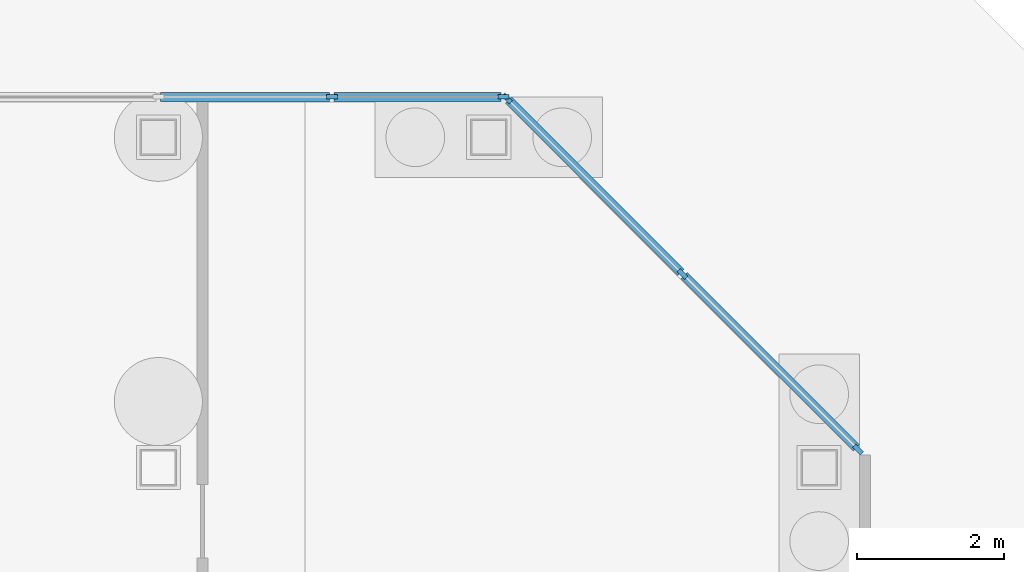
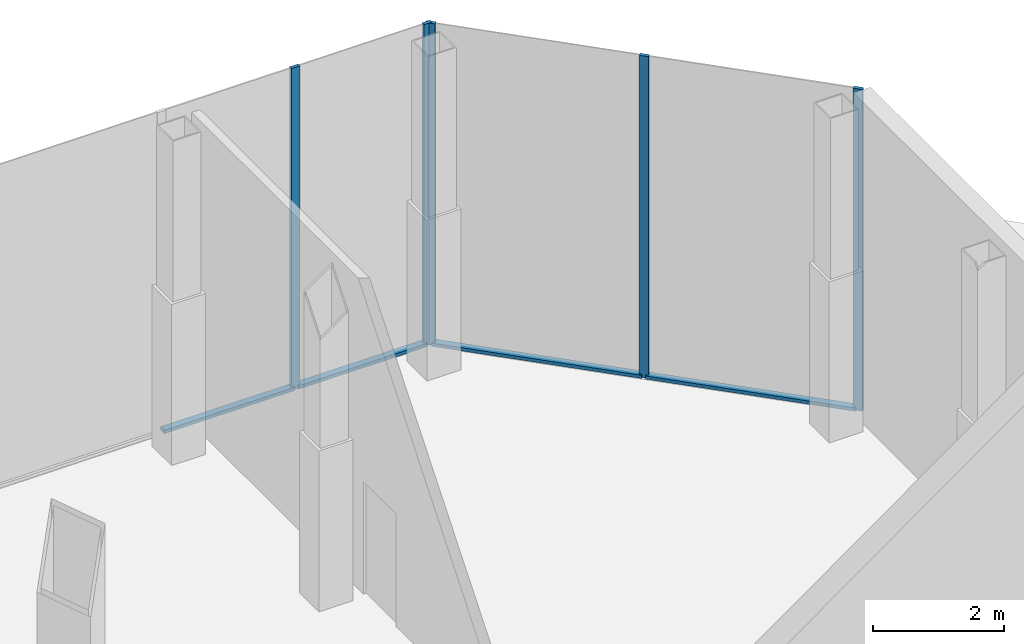
# One storey, part 15 of 24: 9 members, 2 elements without a shape of their own.
"""IFC4 building model written with IfcOpenShell, lengths in metres."""

from ifc_helpers import new_model, si_unit, direction, frame, origin, origin_2d, place, context, subcontext, project, spatial, rectangle, extrude, material, material_profile, profile_set, type_object, element, aggregate, save


model = new_model("IFC4")

# Units and contexts
model_context = context("Model", 3, precision=1e-05, world=origin(), true_north=direction((0.0, 1.0)))
body_context = subcontext(model_context, "Body", "Model", "MODEL_VIEW")
ifc_project = project(units=[si_unit("LENGTHUNIT", "METRE"), si_unit("AREAUNIT", "SQUARE_METRE"), si_unit("VOLUMEUNIT", "CUBIC_METRE"), si_unit("PLANEANGLEUNIT", "RADIAN"), si_unit("MASSUNIT", "GRAM", prefix="KILO")], contexts=[model_context])

# Site, building, storey
site_placement = place(None, origin())
site = spatial("IfcSite", under=ifc_project, at=site_placement, CompositionType="ELEMENT")
building_placement = place(site_placement, origin())
building = spatial("IfcBuilding", under=site, at=building_placement, Name="Corais Broadcast Tower", CompositionType="ELEMENT")
storey_placement = place(building_placement, origin())
storey = spatial("IfcBuildingStorey", under=building, at=storey_placement, Name="L00", CompositionType="ELEMENT", Elevation=0.0)

# Curtain wall, members
ifc_material_1 = material(Name="Aluminium and glass", Category="aluminium")
curtain_wall_type = type_object("IfcCurtainWallType", Name="Storefront curtain wall CW5", PredefinedType="NOTDEFINED", material=ifc_material_1)
curtain_wall_1_placement = place(storey_placement, origin())
curtain_wall_1 = element("IfcCurtainWall", 1, at=curtain_wall_1_placement, inside=storey, type_object=curtain_wall_type, Name="CW5 curtain wall L00 4", PredefinedType="NOTDEFINED")
ifc_material_2 = material(Name="Aluminium 6063-T6", Category="aluminium")
ifc_material_profile_1 = material_profile(ifc_material_2, rectangle(XDim=0.06005859375, YDim=0.14990234375, at=origin_2d()), Name="Mullion CW5 60x150")
ifc_profile_set_1 = profile_set([ifc_material_profile_1], Name="Aluminium 6063-T6")
member_type_1 = type_object("IfcMemberType", Name="Mullion CW5 60x150", PredefinedType="MULLION", material=ifc_profile_set_1)
member_1_placement = place(storey_placement, frame((56.364013671875, 54.550048828125, 0.0), z_axis=(0.0, 0.0, 1.0), x_axis=(0.0, 1.0, 0.0)))
member_1 = element("IfcMember", 2, at=member_1_placement, type_object=member_type_1, Name="CW5 mullion 7", PredefinedType="MULLION", context=body_context, shape_type="SweptSolid", body=[
    extrude(rectangle(XDim=0.06005859375, YDim=0.14990234375, at=origin_2d()), origin(), (0.0, 0.0, 1.0), 6.0),
])
member_2_placement = place(storey_placement, frame((58.69775390625, 54.550048828125, 0.0), z_axis=(0.0, 0.0, 1.0), x_axis=(0.0, 1.0, 0.0)))
member_2 = element("IfcMember", 3, at=member_2_placement, type_object=member_type_1, Name="CW5 mullion 8", PredefinedType="MULLION", context=body_context, shape_type="SweptSolid", body=[
    extrude(rectangle(XDim=0.06005859375, YDim=0.14990234375, at=origin_2d()), origin(), (0.0, 0.0, 1.0), 6.0),
])

curtain_wall_2_placement = place(storey_placement, origin())
curtain_wall_2 = element("IfcCurtainWall", 4, at=curtain_wall_2_placement, inside=storey, type_object=curtain_wall_type, Name="CW5 curtain wall L00 5", PredefinedType="NOTDEFINED")
member_3_placement = place(storey_placement, frame((58.7490234375, 54.52880859375, 0.0), z_axis=(0.0, 0.0, 1.0), x_axis=(0.707106781187, 0.707106781187, 0.0)))
member_3 = element("IfcMember", 5, at=member_3_placement, type_object=member_type_1, Name="CW5 mullion 1", PredefinedType="MULLION", context=body_context, shape_type="SweptSolid", body=[
    extrude(rectangle(XDim=0.06005859375, YDim=0.14990234375, at=origin_2d()), origin(), (0.0, 0.0, 1.0), 6.0),
])
member_4_placement = place(storey_placement, frame((61.138916015625, 52.138916015625, 0.0), z_axis=(0.0, 0.0, 1.0), x_axis=(0.707106781187, 0.707106781187, 0.0)))
member_4 = element("IfcMember", 6, at=member_4_placement, type_object=member_type_1, Name="CW5 mullion 2", PredefinedType="MULLION", context=body_context, shape_type="SweptSolid", body=[
    extrude(rectangle(XDim=0.06005859375, YDim=0.14990234375, at=origin_2d()), origin(), (0.0, 0.0, 1.0), 6.0),
])
member_5_placement = place(storey_placement, frame((63.52880859375, 49.7490234375, 0.0), z_axis=(0.0, 0.0, 1.0), x_axis=(0.707106781187, 0.707106781187, 0.0)))
member_5 = element("IfcMember", 7, at=member_5_placement, type_object=member_type_1, Name="CW5 mullion 3", PredefinedType="MULLION", context=body_context, shape_type="SweptSolid", body=[
    extrude(rectangle(XDim=0.06005859375, YDim=0.14990234375, at=origin_2d()), origin(), (0.0, 0.0, 1.0), 6.0),
])

# Member
ifc_material_3 = material(Name="Aluminium 6063-T6", Category="aluminium")
ifc_material_profile_2 = material_profile(ifc_material_3, rectangle(XDim=0.1201171875, YDim=0.06005859375, at=origin_2d()), Name="Transom CW5 60x120")
ifc_profile_set_2 = profile_set([ifc_material_profile_2], Name="Aluminium 6063-T6")
member_type_2 = type_object("IfcMemberType", Name="Transom CW5 60x120", PredefinedType="USERDEFINED", material=ifc_profile_set_2)
member_6_placement = place(storey_placement, frame((54.030029296875, 54.550048828125, 0.030029296875), z_axis=(1.0, 0.0, 0.0), x_axis=(0.0, 1.0, 0.0)))
member_6 = element("IfcMember", 8, at=member_6_placement, type_object=member_type_2, Name="CW5 transom 6.1", ObjectType="TRANSOM", PredefinedType="USERDEFINED", context=body_context, shape_type="SweptSolid", body=[
    extrude(rectangle(XDim=0.1201171875, YDim=0.06005859375, at=origin_2d()), origin(), (0.0, 0.0, 1.0), 2.303955078125),
])

member_7_placement = place(storey_placement, frame((56.393798828125, 54.550048828125, 0.030029296875), z_axis=(1.0, 0.0, 0.0), x_axis=(0.0, 1.0, 0.0)))
member_7 = element("IfcMember", 9, at=member_7_placement, type_object=member_type_2, Name="CW5 transom 7.1", ObjectType="TRANSOM", PredefinedType="USERDEFINED", context=body_context, shape_type="SweptSolid", body=[
    extrude(rectangle(XDim=0.1201171875, YDim=0.06005859375, at=origin_2d()), origin(), (0.0, 0.0, 1.0), 2.27392578125),
])

aggregate(curtain_wall_1, [member_1, member_2, member_6, member_7])

member_8_placement = place(storey_placement, frame((58.770263671875, 54.507568359375, 0.030029296875), z_axis=(0.707106781187, -0.707106781187, 0.0), x_axis=(0.707106781187, 0.707106781187, 0.0)))
member_8 = element("IfcMember", 10, at=member_8_placement, type_object=member_type_2, Name="CW5 transom 1.1", ObjectType="TRANSOM", PredefinedType="USERDEFINED", context=body_context, shape_type="SweptSolid", body=[
    extrude(rectangle(XDim=0.1201171875, YDim=0.06005859375, at=origin_2d()), origin(), (0.0, 0.0, 1.0), 3.31982421875),
])

member_9_placement = place(storey_placement, frame((61.16015625, 52.11767578125, 0.030029296875), z_axis=(0.707106781187, -0.707106781187, 0.0), x_axis=(0.707106781187, 0.707106781187, 0.0)))
member_9 = element("IfcMember", 11, at=member_9_placement, type_object=member_type_2, Name="CW5 transom 2.1", ObjectType="TRANSOM", PredefinedType="USERDEFINED", context=body_context, shape_type="SweptSolid", body=[
    extrude(rectangle(XDim=0.1201171875, YDim=0.06005859375, at=origin_2d()), origin(), (0.0, 0.0, 1.0), 3.31982421875),
])

aggregate(curtain_wall_2, [member_3, member_4, member_5, member_8, member_9])

save(model, "model.ifc")
